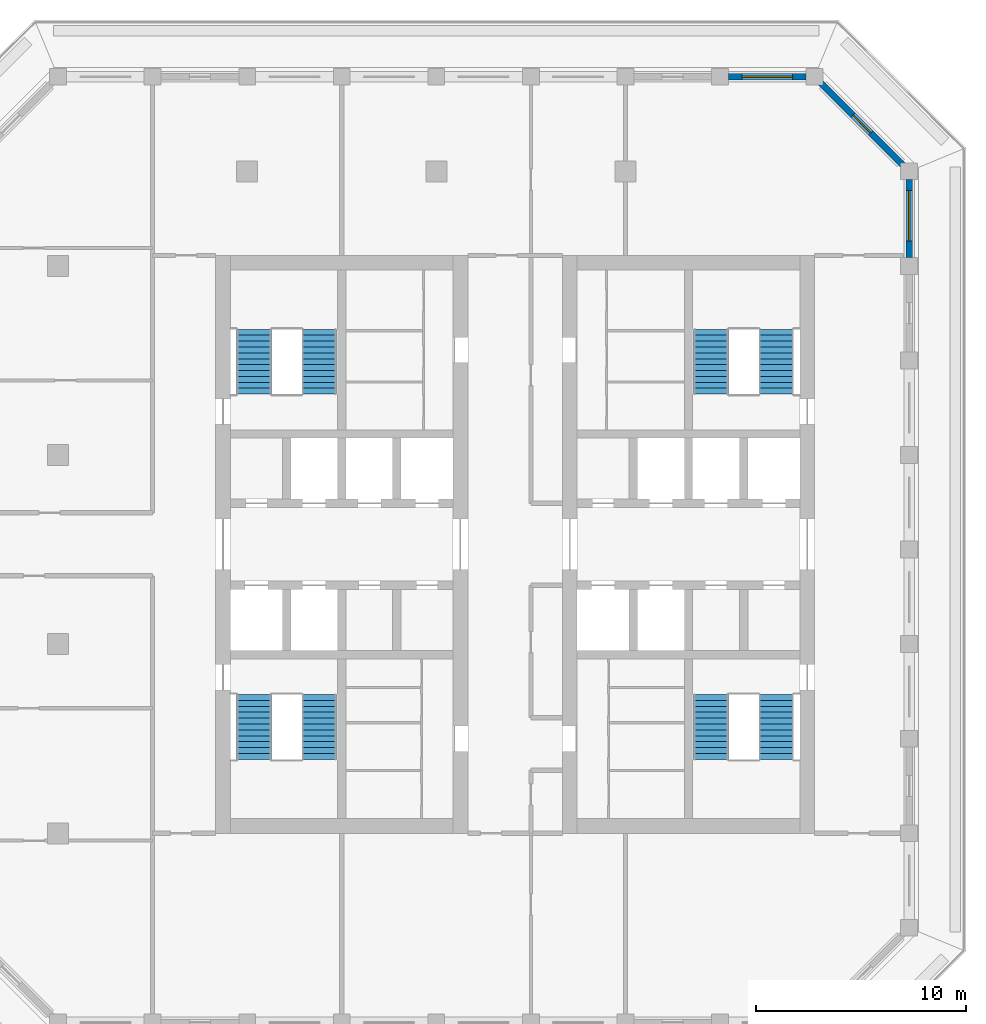
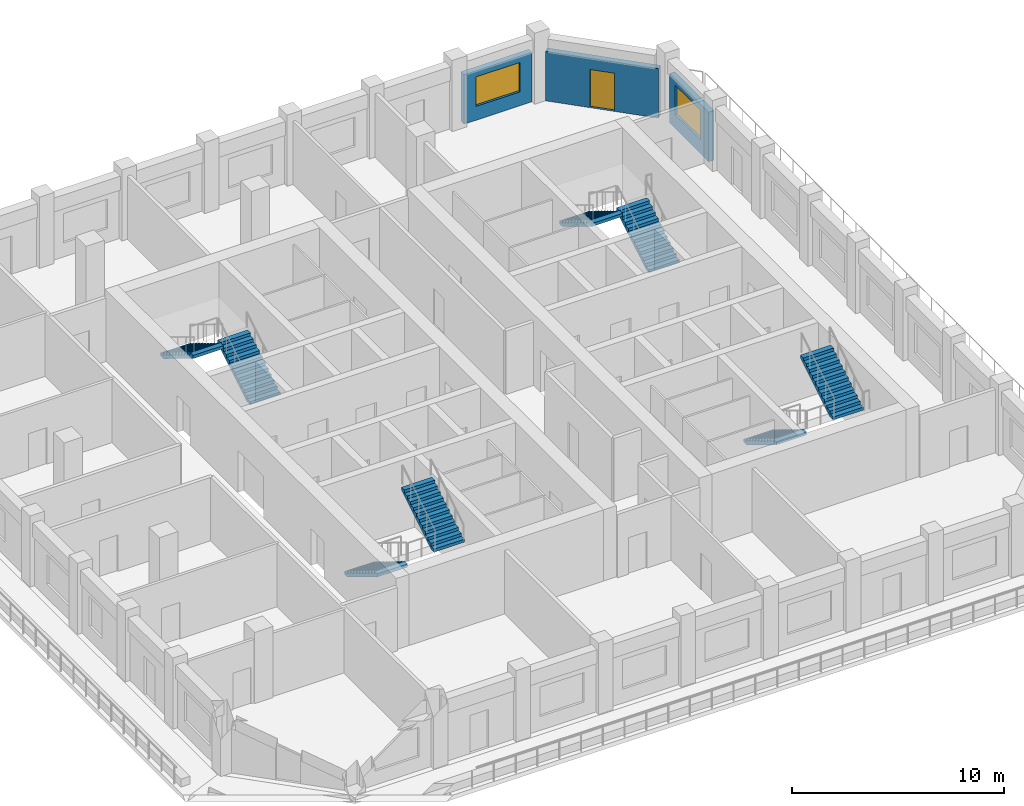
# One storey, part 7 of 14: 8 stair flights, 3 walls, 2 windows, 1 door, 3 openings, 4 elements without a shape of their own.
"""IFC4 building model written with IfcOpenShell, lengths in metres."""

import ifcopenshell
import ifcopenshell.guid

model = None  # the IFC model being written
_history = None  # IfcOwnerHistory: only IFC2X3 demands one
_inside = {}  # id of a spatial element -> (the spatial element, [elements in it])
_under = {}  # id of a project, library or spatial element -> (it, [spatial elements below it])
_declared = {}  # id of a project -> (the project, [libraries it declares])
_typed = {}  # id of a type object -> (the type object, [elements of that type])
_made_of = {}  # id of a material, layer set ... -> (it, [elements and type objects made of it])


def new_model(schema):
    """Start an empty IFC model of exactly this schema.

    Asked for "IFC4X3", IfcOpenShell would pick the latest addendum, in which some entities
    have other attributes; the version numbers below select the first issue.
    IFC2X3 requires an IfcOwnerHistory on every rooted entity: one is made here for all.
    """
    global model, _history
    if schema == "IFC4X3":
        model = ifcopenshell.file(schema_version=(4, 3, 0, 0))
    else:
        model = ifcopenshell.file(schema=schema)
    _inside.clear()
    _under.clear()
    _declared.clear()
    _typed.clear()
    _made_of.clear()
    _history = None
    if model.schema == "IFC2X3":
        org = make("IfcOrganization", Name="unknown")
        user = make(
            "IfcPersonAndOrganization",
            ThePerson=make("IfcPerson", FamilyName="unknown"),
            TheOrganization=org,
        )
        app = make(
            "IfcApplication",
            ApplicationDeveloper=org,
            Version="unknown",
            ApplicationFullName="unknown",
            ApplicationIdentifier="unknown",
        )
        _history = make(
            "IfcOwnerHistory",
            OwningUser=user,
            OwningApplication=app,
            ChangeAction="ADDED",
            CreationDate=0,
        )
    return model


def make(cls, **values):
    """One entity of the class cls with the attributes given. An attribute that is None is left unset."""
    return model.create_entity(
        cls, **{name: value for name, value in values.items() if value is not None}
    )


def rooted(cls, **values):
    """An entity with a GlobalId (a new one), such as an element, a storey or a relation."""
    return make(cls, GlobalId=ifcopenshell.guid.new(), OwnerHistory=_history, **values)


def si_unit(unit_type, name, prefix=None):
    """IfcSIUnit, for example si_unit("LENGTHUNIT", "METRE", prefix="MILLI")."""
    return make("IfcSIUnit", UnitType=unit_type, Prefix=prefix, Name=name)


def assignment(units):
    """IfcUnitAssignment: the units of a project."""
    return None if units is None else make("IfcUnitAssignment", Units=units)


def point(xyz):
    """IfcCartesianPoint."""
    return None if xyz is None else make("IfcCartesianPoint", Coordinates=xyz)


def direction(xyz):
    """IfcDirection."""
    return None if xyz is None else make("IfcDirection", DirectionRatios=xyz)


def frame(location, z_axis=None, x_axis=None):
    """IfcAxis2Placement3D, a coordinate frame: its origin and axes. An axis left out is left unset."""
    return make(
        "IfcAxis2Placement3D",
        Location=point(location),
        Axis=direction(z_axis),
        RefDirection=direction(x_axis),
    )


def frame_2d(location, x_axis=None):
    """IfcAxis2Placement2D, a coordinate frame in the plane: its origin and x axis."""
    return make(
        "IfcAxis2Placement2D", Location=point(location), RefDirection=direction(x_axis)
    )


def origin():
    """The frame at (0, 0, 0) with its axes left unset."""
    return frame((0.0, 0.0, 0.0))


def place(relative_to, where):
    """IfcLocalPlacement: puts the frame where relative to a parent placement (None: the world)."""
    return make(
        "IfcLocalPlacement", PlacementRelTo=relative_to, RelativePlacement=where
    )


def context(
    kind, dimensions, precision=None, world=None, true_north=None, identifier=None
):
    """IfcGeometricRepresentationContext, for example the 3D "Model" context."""
    return make(
        "IfcGeometricRepresentationContext",
        ContextIdentifier=identifier,
        ContextType=kind,
        CoordinateSpaceDimension=dimensions,
        Precision=precision,
        WorldCoordinateSystem=world,
        TrueNorth=true_north,
    )


def subcontext(parent, identifier, kind, view, scale=None):
    """IfcGeometricRepresentationSubContext, for example "Body" below "Model"."""
    return make(
        "IfcGeometricRepresentationSubContext",
        ContextIdentifier=identifier,
        ContextType=kind,
        ParentContext=parent,
        TargetScale=scale,
        TargetView=view,
    )


def project(units=None, contexts=None):
    """IfcProject with its units and contexts."""
    return rooted(
        "IfcProject",
        Name="project",
        RepresentationContexts=contexts,
        UnitsInContext=assignment(units),
    )


def spatial(cls, under=None, at=None, **own):
    """A site, building, storey or space (cls), placed at a placement, below another one or the project."""
    s = rooted(cls, ObjectPlacement=at, **own)
    if under is not None:
        _under.setdefault(under.id(), (under, []))[1].append(s)
    return s


def polyline(points):
    """IfcPolyline through the points."""
    return make("IfcPolyline", Points=[point(p) for p in points])


def profile(cls, at=None, kind="AREA", **sizes):
    """A parametric profile (cls). Its sizes go by their IFC names, for example OverallWidth=200.0."""
    return make(cls, ProfileType=kind, Position=at, **sizes)


def rectangle(**sizes):
    """IfcRectangleProfileDef."""
    return profile("IfcRectangleProfileDef", **sizes)


def outline(outer, holes=None, kind="AREA"):
    """IfcArbitraryClosedProfileDef: a profile drawn as a closed curve; with holes, ...WithVoids."""
    if holes is None:
        return make("IfcArbitraryClosedProfileDef", ProfileType=kind, OuterCurve=outer)
    return make(
        "IfcArbitraryProfileDefWithVoids",
        ProfileType=kind,
        OuterCurve=outer,
        InnerCurves=holes,
    )


def extrude(swept, where, along, depth):
    """IfcExtrudedAreaSolid: the profile swept, set in the frame where, extruded along a direction by depth."""
    return make(
        "IfcExtrudedAreaSolid",
        SweptArea=swept,
        Position=where,
        ExtrudedDirection=direction(along),
        Depth=depth,
    )


def shape(context_of_items, identifier, shape_type, items):
    """IfcShapeRepresentation: the items that make up one representation, for example the "Body"."""
    return make(
        "IfcShapeRepresentation",
        ContextOfItems=context_of_items,
        RepresentationIdentifier=identifier,
        RepresentationType=shape_type,
        Items=items,
    )


def material(Name=None, Category=None):
    """IfcMaterial."""
    return make("IfcMaterial", Name=Name, Category=Category)


def layer(
    of_material, thickness, ventilated=None, Name=None, Category=None, Priority=None
):
    """IfcMaterialLayer: one layer of a wall or slab, of a material (None: an air gap)."""
    return make(
        "IfcMaterialLayer",
        Material=of_material,
        LayerThickness=thickness,
        IsVentilated=ventilated,
        Name=Name,
        Category=Category,
        Priority=Priority,
    )


def layer_set(layers, Name=None):
    """IfcMaterialLayerSet."""
    return make("IfcMaterialLayerSet", MaterialLayers=layers, LayerSetName=Name)


def made_of(thing, what):
    """Note that an element or type object is made of a material, layer set ...; save() writes the relation."""
    if what is not None:
        _made_of.setdefault(what.id(), (what, []))[1].append(thing)
    return thing


def type_object(cls, material=None, **own):
    """A type object (cls), such as IfcWallType, which elements share."""
    return made_of(rooted(cls, **own), material)


def element(
    cls,
    number,
    at=None,
    inside=None,
    cuts=None,
    type_object=None,
    material=None,
    context=None,
    identifier="Body",
    shape_type=None,
    held_by="IfcProductDefinitionShape",
    body=None,
    shapes=None,
    **own,
):
    """One element of the class cls, such as IfcWall. Its Tag is "e" and its number.

    at: its placement. inside: the storey or other place that contains it. cuts: it is an
    opening in that element (IfcRelVoidsElement). A single representation is given by context,
    identifier, shape_type and body (its items); several are given by shapes. held_by: the class
    of the entity that holds the representations. save() writes the other relations.
    """
    e = rooted(cls, Tag="e%d" % number, ObjectPlacement=at, **own)
    if body is not None:
        shapes = [shape(context, identifier, shape_type, body)]
    if shapes is not None:
        e.Representation = make(held_by, Representations=shapes)
    if inside is not None:
        _inside.setdefault(inside.id(), (inside, []))[1].append(e)
    if cuts is not None:
        rooted(
            "IfcRelVoidsElement", RelatingBuildingElement=cuts, RelatedOpeningElement=e
        )
    if type_object is not None:
        _typed.setdefault(type_object.id(), (type_object, []))[1].append(e)
    return made_of(e, material)


def fill(opening, filler):
    """IfcRelFillsElement: the door or window that sits in an opening."""
    return rooted(
        "IfcRelFillsElement",
        RelatingOpeningElement=opening,
        RelatedBuildingElement=filler,
    )


def aggregate(whole, parts):
    """IfcRelAggregates: a whole, such as a stair, and the parts it consists of."""
    return rooted("IfcRelAggregates", RelatingObject=whole, RelatedObjects=parts)


def save(model, path):
    """Write the relations noted so far, then the file.

    IfcRelAggregates (storeys below a building ...), IfcRelContainedInSpatialStructure (elements
    in a storey), IfcRelDefinesByType, IfcRelAssociatesMaterial and IfcRelDeclares: one each for
    every whole, place, type object, material and project.
    """
    for whole, parts in _under.values():
        aggregate(whole, parts)
    for where, things in _inside.values():
        rooted(
            "IfcRelContainedInSpatialStructure",
            RelatedElements=things,
            RelatingStructure=where,
        )
    for kind, things in _typed.values():
        rooted("IfcRelDefinesByType", RelatedObjects=things, RelatingType=kind)
    for what, things in _made_of.values():
        rooted("IfcRelAssociatesMaterial", RelatedObjects=things, RelatingMaterial=what)
    for by, libraries in _declared.values():
        rooted("IfcRelDeclares", RelatingContext=by, RelatedDefinitions=libraries)
    model.write(path)


model = new_model("IFC4")

# Units and contexts
model_context = context("Model", 3, precision=1e-05, world=origin(), true_north=direction((0.0, 1.0)))
body_context = subcontext(model_context, "Body", "Model", "MODEL_VIEW")
ifc_project = project(units=[si_unit("LENGTHUNIT", "METRE"), si_unit("AREAUNIT", "SQUARE_METRE"), si_unit("VOLUMEUNIT", "CUBIC_METRE"), si_unit("PLANEANGLEUNIT", "RADIAN"), si_unit("MASSUNIT", "GRAM", prefix="KILO")], contexts=[model_context])

# Site, building, storey
site_placement = place(None, origin())
site = spatial("IfcSite", under=ifc_project, at=site_placement, CompositionType="ELEMENT")
building_placement = place(site_placement, origin())
building = spatial("IfcBuilding", under=site, at=building_placement, Name="Corbel Stack Research Tower", CompositionType="ELEMENT")
storey_placement = place(building_placement, frame((0.0, 0.0, 286.800048828125)))
storey = spatial("IfcBuildingStorey", under=building, at=storey_placement, Name="L65", CompositionType="ELEMENT", Elevation=286.800048828125)

# Wall, opening, window
ifc_material_1 = material(Name="Concrete C45/55", Category="concrete")
ifc_layer = layer(ifc_material_1, 0.300048828125)
ifc_layer_set = layer_set([ifc_layer], Name="Concrete C45/55")
wall_type = type_object("IfcWallType", Name="Terracotta-faced concrete wall 300", PredefinedType="SOLIDWALL", material=ifc_layer_set)
wall_1_placement = place(storey_placement, frame((22.5, 22.10009765625, 0.0), z_axis=(0.0, 0.0, 1.0), x_axis=(0.0, -1.0, 0.0)))
wall_1 = element("IfcWall", 1, at=wall_1_placement, inside=storey, type_object=wall_type, Name="Facade wall L65 E08", PredefinedType="SOLIDWALL", context=body_context, shape_type="SweptSolid", body=[
    extrude(rectangle(XDim=3.7001953125, YDim=0.300048828125, at=frame_2d((1.85009765625, 0.0))), origin(), (0.0, 0.0, 1.0), 2.849853515625),
])
opening_1_placement = place(wall_1_placement, frame((0.52490234375, 0.0, 0.800048828125)))
opening_1 = element("IfcOpeningElement", 2, at=opening_1_placement, cuts=wall_1, Name="Opening W1", PredefinedType="OPENING", context=body_context, shape_type="SweptSolid", body=[
    extrude(rectangle(XDim=2.39990234375, YDim=1.699951171875, at=frame_2d((1.199951171875, 0.85009765625))), frame((0.0, 0.159912109375, 0.0), z_axis=(0.0, -1.0, 0.0), x_axis=(1.0, 0.0, 0.0)), (0.0, 0.0, 1.0), 0.320068359375),
])
ifc_material_2 = material(Name="Aluminium frame, clear double glazing", Category="aluminium")
window_type = type_object("IfcWindowType", Name="Window W1 2400 x 1700", PartitioningType="SINGLE_PANEL", PredefinedType="WINDOW", material=ifc_material_2)
window_1_placement = place(opening_1_placement, origin())
window_1 = element("IfcWindow", 3, at=window_1_placement, inside=storey, type_object=window_type, Name="Window W1 L65 E08", OverallHeight=1.699951171875, OverallWidth=2.39990234375, PartitioningType="SINGLE_PANEL", PredefinedType="WINDOW", context=body_context, shape_type="SweptSolid", body=[
    extrude(rectangle(XDim=2.39990234375, YDim=1.699951171875, at=frame_2d((1.199951171875, 0.85009765625))), frame((0.0, 0.030029296875, 0.0), z_axis=(0.0, -1.0, 0.0), x_axis=(1.0, 0.0, 0.0)), (0.0, 0.0, 1.0), 0.06005859375),
])
fill(opening_1, window_1)

# Wall, opening, door
wall_2_placement = place(storey_placement, frame((18.2939453125, 26.7060546875, 0.0), z_axis=(0.0, 0.0, 1.0), x_axis=(0.707106781187, -0.707106781187, 0.0)))
wall_2 = element("IfcWall", 4, at=wall_2_placement, inside=storey, type_object=wall_type, Name="Facade wall L65 NE01", PredefinedType="SOLIDWALL", context=body_context, shape_type="SweptSolid", body=[
    extrude(rectangle(XDim=5.532470703125, YDim=0.300048828125, at=frame_2d((2.76611328125, 0.0))), origin(), (0.0, 0.0, 1.0), 2.849853515625),
])
opening_2_placement = place(wall_2_placement, frame((2.166259765625, 0.0, 0.0)))
opening_2 = element("IfcOpeningElement", 5, at=opening_2_placement, cuts=wall_2, Name="Opening L65-B06", PredefinedType="OPENING", context=body_context, shape_type="SweptSolid", body=[
    extrude(rectangle(XDim=1.199951171875, YDim=2.199951171875, at=frame_2d((0.60009765625, 1.10009765625))), frame((0.0, 0.159912109375, 0.0), z_axis=(0.0, -1.0, 0.0), x_axis=(1.0, 0.0, 0.0)), (0.0, 0.0, 1.0), 0.320068359375),
])
ifc_material_3 = material(Name="Aluminium frame, clear double glazing", Category="aluminium")
door_type = type_object("IfcDoorType", Name="Balcony door BD2 1200 x 2200", OperationType="NOTDEFINED", PredefinedType="DOOR", material=ifc_material_3)
door_placement = place(opening_2_placement, origin())
door = element("IfcDoor", 6, at=door_placement, inside=storey, type_object=door_type, Name="Balcony door L65-B06", OperationType="SINGLE_SWING_RIGHT", OverallHeight=2.199951171875, OverallWidth=1.199951171875, PredefinedType="DOOR", context=body_context, shape_type="SweptSolid", body=[
    extrude(rectangle(XDim=1.199951171875, YDim=2.199951171875, at=frame_2d((0.60009765625, 1.10009765625))), frame((0.0, 0.02490234375, 0.0), z_axis=(0.0, -1.0, 0.0), x_axis=(1.0, 0.0, 0.0)), (0.0, 0.0, 1.0), 0.050048828125),
])
fill(opening_2, door)

# Wall, opening, window
wall_3_placement = place(storey_placement, frame((13.89990234375, 27.0, 0.0), z_axis=(0.0, 0.0, 1.0), x_axis=(1.0, 0.0, 0.0)))
wall_3 = element("IfcWall", 7, at=wall_3_placement, inside=storey, type_object=wall_type, Name="Facade wall L65 N01", PredefinedType="SOLIDWALL", context=body_context, shape_type="SweptSolid", body=[
    extrude(rectangle(XDim=3.7001953125, YDim=0.300048828125, at=frame_2d((1.85009765625, 0.0))), origin(), (0.0, 0.0, 1.0), 2.849853515625),
])
opening_3_placement = place(wall_3_placement, frame((0.64990234375, 0.0, 0.800048828125)))
opening_3 = element("IfcOpeningElement", 8, at=opening_3_placement, cuts=wall_3, Name="Opening W1", PredefinedType="OPENING", context=body_context, shape_type="SweptSolid", body=[
    extrude(rectangle(XDim=2.39990234375, YDim=1.699951171875, at=frame_2d((1.199951171875, 0.85009765625))), frame((0.0, 0.159912109375, 0.0), z_axis=(0.0, -1.0, 0.0), x_axis=(1.0, 0.0, 0.0)), (0.0, 0.0, 1.0), 0.320068359375),
])
window_2_placement = place(opening_3_placement, origin())
window_2 = element("IfcWindow", 9, at=window_2_placement, inside=storey, type_object=window_type, Name="Window W1 L65 N01", OverallHeight=1.699951171875, OverallWidth=2.39990234375, PartitioningType="SINGLE_PANEL", PredefinedType="WINDOW", context=body_context, shape_type="SweptSolid", body=[
    extrude(rectangle(XDim=2.39990234375, YDim=1.699951171875, at=frame_2d((1.199951171875, 0.85009765625))), frame((0.0, 0.030029296875, 0.0), z_axis=(0.0, -1.0, 0.0), x_axis=(1.0, 0.0, 0.0)), (0.0, 0.0, 1.0), 0.06005859375),
])
fill(opening_3, window_2)

# Stair, stair flights
ifc_material_4 = material(Name="Concrete C40/50", Category="concrete")
stair_type = type_object("IfcStairType", Name="Exit stair 24 risers", PredefinedType="HALF_TURN_STAIR", material=ifc_material_4)
stair_1_placement = place(storey_placement, origin())
stair_1 = element("IfcStair", 10, at=stair_1_placement, inside=storey, type_object=stair_type, Name="L65 Exit stair ST-W1", PredefinedType="HALF_TURN_STAIR")
ifc_material_5 = material(Name="Concrete C40/50", Category="concrete")
stair_flight_type = type_object("IfcStairFlightType", Name="Stair flight 12 risers", PredefinedType="STRAIGHT", material=ifc_material_5)
stair_flight_1_placement = place(storey_placement, frame((-8.675048828125, -2.39990234375, 0.0), z_axis=(0.0, 0.0, 1.0), x_axis=(0.0, -1.0, 0.0)))
stair_flight_1 = element("IfcStairFlight", 11, at=stair_flight_1_placement, type_object=stair_flight_type, Name="ST-W1 flight 1", NumberOfRisers=12, NumberOfTreads=11, PredefinedType="STRAIGHT", RiserHeight=0.170833333, TreadLength=0.28, context=body_context, shape_type="SweptSolid", body=[
    extrude(outline(polyline([(0.0, 0.0), (0.0, 0.1708984375), (0.280029296875, 0.1708984375), (0.280029296875, 0.341552734375), (0.56005859375, 0.341552734375), (0.56005859375, 0.512451171875), (0.840087890625, 0.512451171875), (0.840087890625, 0.683349609375), (1.1201171875, 0.683349609375), (1.1201171875, 0.854248046875), (1.39990234375, 0.854248046875), (1.39990234375, 1.02490234375), (1.679931640625, 1.02490234375), (1.679931640625, 1.19580078125), (1.9599609375, 1.19580078125), (1.9599609375, 1.36669921875), (2.239990234375, 1.36669921875), (2.239990234375, 1.53759765625), (2.52001953125, 1.53759765625), (2.52001953125, 1.708251953125), (2.800048828125, 1.708251953125), (2.800048828125, 1.879150390625), (3.080078125, 1.879150390625), (3.080078125, 2.050048828125), (3.080078125, 1.70361328125), (0.287841796875, 0.0), (0.0, 0.0)])), frame((0.0, 0.824951171875, 0.0), z_axis=(0.0, -1.0, 0.0), x_axis=(1.0, 0.0, 0.0)), (0.0, 0.0, 1.0), 1.64990234375),
])
stair_flight_2_placement = place(storey_placement, frame((-5.574951171875, -5.47998046875, 2.050048828125), z_axis=(0.0, 0.0, 1.0), x_axis=(0.0, 1.0, 0.0)))
stair_flight_2 = element("IfcStairFlight", 12, at=stair_flight_2_placement, type_object=stair_flight_type, Name="ST-W1 flight 2", NumberOfRisers=12, NumberOfTreads=11, PredefinedType="STRAIGHT", RiserHeight=0.170833333, TreadLength=0.28, context=body_context, shape_type="SweptSolid", body=[
    extrude(outline(polyline([(0.0, 0.0), (0.0, 0.1708984375), (0.280029296875, 0.1708984375), (0.280029296875, 0.341552734375), (0.56005859375, 0.341552734375), (0.56005859375, 0.512451171875), (0.840087890625, 0.512451171875), (0.840087890625, 0.683349609375), (1.1201171875, 0.683349609375), (1.1201171875, 0.854248046875), (1.39990234375, 0.854248046875), (1.39990234375, 1.02490234375), (1.679931640625, 1.02490234375), (1.679931640625, 1.19580078125), (1.9599609375, 1.19580078125), (1.9599609375, 1.36669921875), (2.239990234375, 1.36669921875), (2.239990234375, 1.53759765625), (2.52001953125, 1.53759765625), (2.52001953125, 1.708251953125), (2.800048828125, 1.708251953125), (2.800048828125, 1.879150390625), (3.080078125, 1.879150390625), (3.080078125, 2.050048828125), (3.080078125, 1.70361328125), (0.287841796875, 0.0), (0.0, 0.0)])), frame((0.0, 0.824951171875, 0.0), z_axis=(0.0, -1.0, 0.0), x_axis=(1.0, 0.0, 0.0)), (0.0, 0.0, 1.0), 1.64990234375),
])
aggregate(stair_1, [stair_flight_1, stair_flight_2])

stair_2_placement = place(storey_placement, origin())
stair_2 = element("IfcStair", 13, at=stair_2_placement, inside=storey, type_object=stair_type, Name="L65 Exit stair ST-W2", PredefinedType="HALF_TURN_STAIR")
stair_flight_3_placement = place(storey_placement, frame((-5.574951171875, 11.89990234375, 0.0), z_axis=(0.0, 0.0, 1.0), x_axis=(0.0, 1.0, 0.0)))
stair_flight_3 = element("IfcStairFlight", 14, at=stair_flight_3_placement, type_object=stair_flight_type, Name="ST-W2 flight 1", NumberOfRisers=12, NumberOfTreads=11, PredefinedType="STRAIGHT", RiserHeight=0.170833333, TreadLength=0.28, context=body_context, shape_type="SweptSolid", body=[
    extrude(outline(polyline([(0.0, 0.0), (0.0, 0.1708984375), (0.280029296875, 0.1708984375), (0.280029296875, 0.341552734375), (0.56005859375, 0.341552734375), (0.56005859375, 0.512451171875), (0.840087890625, 0.512451171875), (0.840087890625, 0.683349609375), (1.1201171875, 0.683349609375), (1.1201171875, 0.854248046875), (1.39990234375, 0.854248046875), (1.39990234375, 1.02490234375), (1.679931640625, 1.02490234375), (1.679931640625, 1.19580078125), (1.9599609375, 1.19580078125), (1.9599609375, 1.36669921875), (2.239990234375, 1.36669921875), (2.239990234375, 1.53759765625), (2.52001953125, 1.53759765625), (2.52001953125, 1.708251953125), (2.800048828125, 1.708251953125), (2.800048828125, 1.879150390625), (3.080078125, 1.879150390625), (3.080078125, 2.050048828125), (3.080078125, 1.70361328125), (0.287841796875, 0.0), (0.0, 0.0)])), frame((0.0, 0.824951171875, 0.0), z_axis=(0.0, -1.0, 0.0), x_axis=(1.0, 0.0, 0.0)), (0.0, 0.0, 1.0), 1.64990234375),
])
stair_flight_4_placement = place(storey_placement, frame((-8.675048828125, 14.97998046875, 2.050048828125), z_axis=(0.0, 0.0, 1.0), x_axis=(0.0, -1.0, 0.0)))
stair_flight_4 = element("IfcStairFlight", 15, at=stair_flight_4_placement, type_object=stair_flight_type, Name="ST-W2 flight 2", NumberOfRisers=12, NumberOfTreads=11, PredefinedType="STRAIGHT", RiserHeight=0.170833333, TreadLength=0.28, context=body_context, shape_type="SweptSolid", body=[
    extrude(outline(polyline([(0.0, 0.0), (0.0, 0.1708984375), (0.280029296875, 0.1708984375), (0.280029296875, 0.341552734375), (0.56005859375, 0.341552734375), (0.56005859375, 0.512451171875), (0.840087890625, 0.512451171875), (0.840087890625, 0.683349609375), (1.1201171875, 0.683349609375), (1.1201171875, 0.854248046875), (1.39990234375, 0.854248046875), (1.39990234375, 1.02490234375), (1.679931640625, 1.02490234375), (1.679931640625, 1.19580078125), (1.9599609375, 1.19580078125), (1.9599609375, 1.36669921875), (2.239990234375, 1.36669921875), (2.239990234375, 1.53759765625), (2.52001953125, 1.53759765625), (2.52001953125, 1.708251953125), (2.800048828125, 1.708251953125), (2.800048828125, 1.879150390625), (3.080078125, 1.879150390625), (3.080078125, 2.050048828125), (3.080078125, 1.70361328125), (0.287841796875, 0.0), (0.0, 0.0)])), frame((0.0, 0.824951171875, 0.0), z_axis=(0.0, -1.0, 0.0), x_axis=(1.0, 0.0, 0.0)), (0.0, 0.0, 1.0), 1.64990234375),
])
aggregate(stair_2, [stair_flight_3, stair_flight_4])

stair_3_placement = place(storey_placement, origin())
stair_3 = element("IfcStair", 16, at=stair_3_placement, inside=storey, type_object=stair_type, Name="L65 Exit stair ST-E1", PredefinedType="HALF_TURN_STAIR")
stair_flight_5_placement = place(storey_placement, frame((13.074951171875, -2.39990234375, 0.0), z_axis=(0.0, 0.0, 1.0), x_axis=(0.0, -1.0, 0.0)))
stair_flight_5 = element("IfcStairFlight", 17, at=stair_flight_5_placement, type_object=stair_flight_type, Name="ST-E1 flight 1", NumberOfRisers=12, NumberOfTreads=11, PredefinedType="STRAIGHT", RiserHeight=0.170833333, TreadLength=0.28, context=body_context, shape_type="SweptSolid", body=[
    extrude(outline(polyline([(0.0, 0.0), (0.0, 0.1708984375), (0.280029296875, 0.1708984375), (0.280029296875, 0.341552734375), (0.56005859375, 0.341552734375), (0.56005859375, 0.512451171875), (0.840087890625, 0.512451171875), (0.840087890625, 0.683349609375), (1.1201171875, 0.683349609375), (1.1201171875, 0.854248046875), (1.39990234375, 0.854248046875), (1.39990234375, 1.02490234375), (1.679931640625, 1.02490234375), (1.679931640625, 1.19580078125), (1.9599609375, 1.19580078125), (1.9599609375, 1.36669921875), (2.239990234375, 1.36669921875), (2.239990234375, 1.53759765625), (2.52001953125, 1.53759765625), (2.52001953125, 1.708251953125), (2.800048828125, 1.708251953125), (2.800048828125, 1.879150390625), (3.080078125, 1.879150390625), (3.080078125, 2.050048828125), (3.080078125, 1.70361328125), (0.287841796875, 0.0), (0.0, 0.0)])), frame((0.0, 0.824951171875, 0.0), z_axis=(0.0, -1.0, 0.0), x_axis=(1.0, 0.0, 0.0)), (0.0, 0.0, 1.0), 1.64990234375),
])
stair_flight_6_placement = place(storey_placement, frame((16.175048828125, -5.47998046875, 2.050048828125), z_axis=(0.0, 0.0, 1.0), x_axis=(0.0, 1.0, 0.0)))
stair_flight_6 = element("IfcStairFlight", 18, at=stair_flight_6_placement, type_object=stair_flight_type, Name="ST-E1 flight 2", NumberOfRisers=12, NumberOfTreads=11, PredefinedType="STRAIGHT", RiserHeight=0.170833333, TreadLength=0.28, context=body_context, shape_type="SweptSolid", body=[
    extrude(outline(polyline([(0.0, 0.0), (0.0, 0.1708984375), (0.280029296875, 0.1708984375), (0.280029296875, 0.341552734375), (0.56005859375, 0.341552734375), (0.56005859375, 0.512451171875), (0.840087890625, 0.512451171875), (0.840087890625, 0.683349609375), (1.1201171875, 0.683349609375), (1.1201171875, 0.854248046875), (1.39990234375, 0.854248046875), (1.39990234375, 1.02490234375), (1.679931640625, 1.02490234375), (1.679931640625, 1.19580078125), (1.9599609375, 1.19580078125), (1.9599609375, 1.36669921875), (2.239990234375, 1.36669921875), (2.239990234375, 1.53759765625), (2.52001953125, 1.53759765625), (2.52001953125, 1.708251953125), (2.800048828125, 1.708251953125), (2.800048828125, 1.879150390625), (3.080078125, 1.879150390625), (3.080078125, 2.050048828125), (3.080078125, 1.70361328125), (0.287841796875, 0.0), (0.0, 0.0)])), frame((0.0, 0.824951171875, 0.0), z_axis=(0.0, -1.0, 0.0), x_axis=(1.0, 0.0, 0.0)), (0.0, 0.0, 1.0), 1.64990234375),
])
aggregate(stair_3, [stair_flight_5, stair_flight_6])

stair_4_placement = place(storey_placement, origin())
stair_4 = element("IfcStair", 19, at=stair_4_placement, inside=storey, type_object=stair_type, Name="L65 Exit stair ST-E2", PredefinedType="HALF_TURN_STAIR")
stair_flight_7_placement = place(storey_placement, frame((16.175048828125, 11.89990234375, 0.0), z_axis=(0.0, 0.0, 1.0), x_axis=(0.0, 1.0, 0.0)))
stair_flight_7 = element("IfcStairFlight", 20, at=stair_flight_7_placement, type_object=stair_flight_type, Name="ST-E2 flight 1", NumberOfRisers=12, NumberOfTreads=11, PredefinedType="STRAIGHT", RiserHeight=0.170833333, TreadLength=0.28, context=body_context, shape_type="SweptSolid", body=[
    extrude(outline(polyline([(0.0, 0.0), (0.0, 0.1708984375), (0.280029296875, 0.1708984375), (0.280029296875, 0.341552734375), (0.56005859375, 0.341552734375), (0.56005859375, 0.512451171875), (0.840087890625, 0.512451171875), (0.840087890625, 0.683349609375), (1.1201171875, 0.683349609375), (1.1201171875, 0.854248046875), (1.39990234375, 0.854248046875), (1.39990234375, 1.02490234375), (1.679931640625, 1.02490234375), (1.679931640625, 1.19580078125), (1.9599609375, 1.19580078125), (1.9599609375, 1.36669921875), (2.239990234375, 1.36669921875), (2.239990234375, 1.53759765625), (2.52001953125, 1.53759765625), (2.52001953125, 1.708251953125), (2.800048828125, 1.708251953125), (2.800048828125, 1.879150390625), (3.080078125, 1.879150390625), (3.080078125, 2.050048828125), (3.080078125, 1.70361328125), (0.287841796875, 0.0), (0.0, 0.0)])), frame((0.0, 0.824951171875, 0.0), z_axis=(0.0, -1.0, 0.0), x_axis=(1.0, 0.0, 0.0)), (0.0, 0.0, 1.0), 1.64990234375),
])
stair_flight_8_placement = place(storey_placement, frame((13.074951171875, 14.97998046875, 2.050048828125), z_axis=(0.0, 0.0, 1.0), x_axis=(0.0, -1.0, 0.0)))
stair_flight_8 = element("IfcStairFlight", 21, at=stair_flight_8_placement, type_object=stair_flight_type, Name="ST-E2 flight 2", NumberOfRisers=12, NumberOfTreads=11, PredefinedType="STRAIGHT", RiserHeight=0.170833333, TreadLength=0.28, context=body_context, shape_type="SweptSolid", body=[
    extrude(outline(polyline([(0.0, 0.0), (0.0, 0.1708984375), (0.280029296875, 0.1708984375), (0.280029296875, 0.341552734375), (0.56005859375, 0.341552734375), (0.56005859375, 0.512451171875), (0.840087890625, 0.512451171875), (0.840087890625, 0.683349609375), (1.1201171875, 0.683349609375), (1.1201171875, 0.854248046875), (1.39990234375, 0.854248046875), (1.39990234375, 1.02490234375), (1.679931640625, 1.02490234375), (1.679931640625, 1.19580078125), (1.9599609375, 1.19580078125), (1.9599609375, 1.36669921875), (2.239990234375, 1.36669921875), (2.239990234375, 1.53759765625), (2.52001953125, 1.53759765625), (2.52001953125, 1.708251953125), (2.800048828125, 1.708251953125), (2.800048828125, 1.879150390625), (3.080078125, 1.879150390625), (3.080078125, 2.050048828125), (3.080078125, 1.70361328125), (0.287841796875, 0.0), (0.0, 0.0)])), frame((0.0, 0.824951171875, 0.0), z_axis=(0.0, -1.0, 0.0), x_axis=(1.0, 0.0, 0.0)), (0.0, 0.0, 1.0), 1.64990234375),
])
aggregate(stair_4, [stair_flight_7, stair_flight_8])

save(model, "model.ifc")
